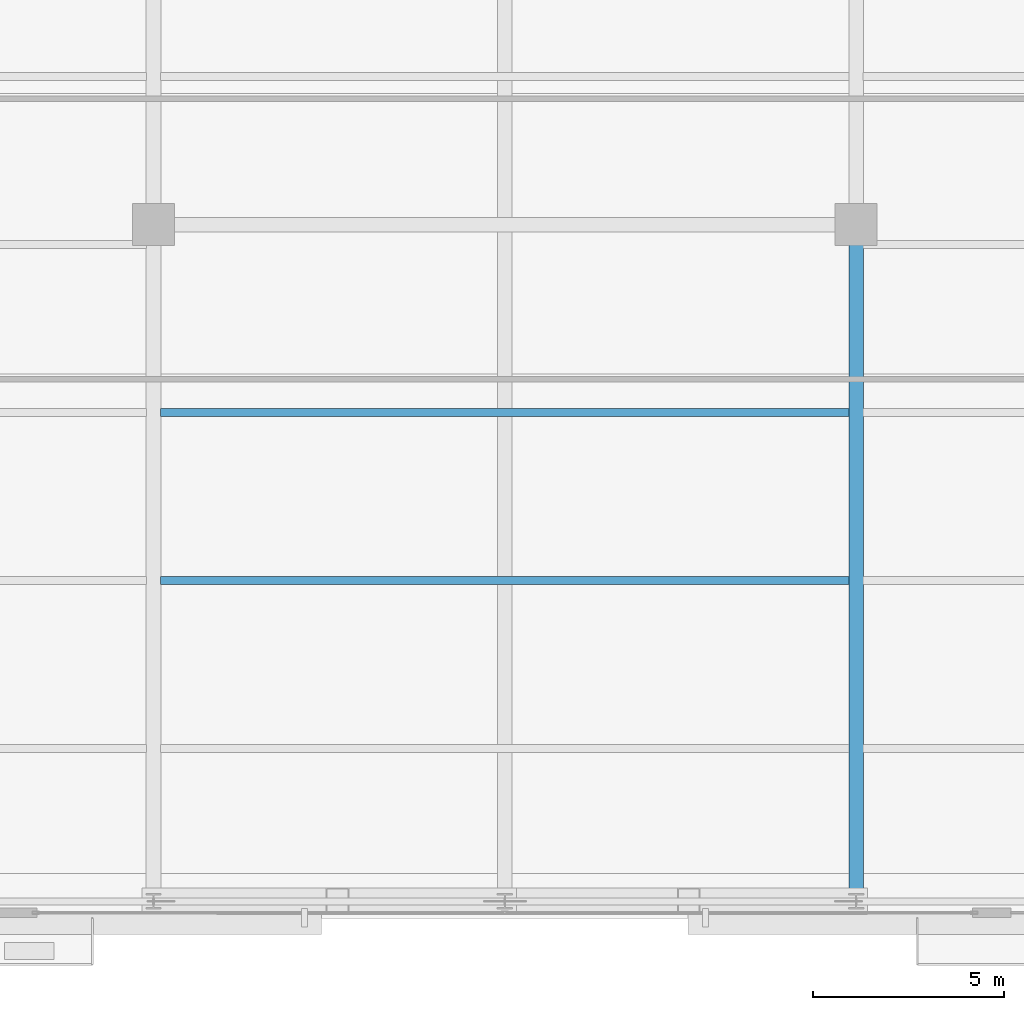
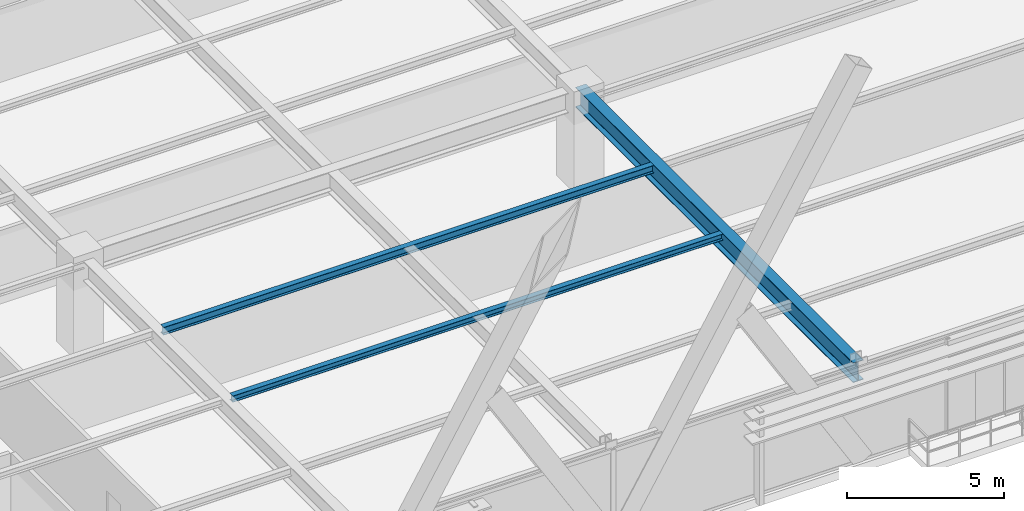
# One storey, part 14 of 34: 3 beams.
"""IFC4 building model written with IfcOpenShell, lengths in metres."""

from ifc_helpers import new_model, si_unit, direction, frame, origin, origin_2d, place, context, subcontext, project, spatial, i_section, extrude, source, transform, mapped, material, material_profile, profile_set, type_object, type_shapes, element, save


model = new_model("IFC4")

# Units and contexts
model_context = context("Model", 3, precision=1e-05, world=origin(), true_north=direction((0.0, 1.0)))
body_context = subcontext(model_context, "Body", "Model", "MODEL_VIEW")
ifc_project = project(units=[si_unit("LENGTHUNIT", "METRE"), si_unit("AREAUNIT", "SQUARE_METRE"), si_unit("VOLUMEUNIT", "CUBIC_METRE"), si_unit("PLANEANGLEUNIT", "RADIAN"), si_unit("MASSUNIT", "GRAM", prefix="KILO")], contexts=[model_context])

# Site, building, storey
site_placement = place(None, origin())
site = spatial("IfcSite", under=ifc_project, at=site_placement, CompositionType="ELEMENT")
building_placement = place(site_placement, origin())
building = spatial("IfcBuilding", under=site, at=building_placement, Name="Varnel Quay Broadcast Tower", CompositionType="ELEMENT")
storey_placement = place(building_placement, frame((0.0, 0.0, 27.60009765625)))
storey = spatial("IfcBuildingStorey", under=building, at=storey_placement, Name="L05", CompositionType="ELEMENT", Elevation=27.60009765625)

# Beams
ifc_material = material(Name="Structural Steel CSA G40.21 350W", Category="steel")
ifc_material_profile_1 = material_profile(ifc_material, i_section(OverallWidth=0.381103515625, OverallDepth=0.77294921875, WebThickness=0.0166015625, FlangeThickness=0.027587890625, FilletRadius=0.01806640625, at=origin_2d()), Name="W760X257")
ifc_profile_set_1 = profile_set([ifc_material_profile_1], Name="Structural Steel CSA G40.21 350W")
beam_type_1 = type_object("IfcBeamType", Name="Girder_W760X257", PredefinedType="BEAM", material=ifc_profile_set_1)
shared_shape_1 = source(origin(), body_context, "Body", "SweptSolid", [
    extrude(i_section(OverallWidth=0.381103515625, OverallDepth=0.77294921875, WebThickness=0.0166015625, FlangeThickness=0.027587890625, FilletRadius=0.01806640625, at=origin_2d()), origin(), (0.0, 0.0, 1.0), 17.68017578125),
])
type_shapes(beam_type_1, [shared_shape_1])
beam_1_placement = place(storey_placement, frame((43.199951171875, 1.669921875, 3.263427734375), z_axis=(0.0, 1.0, 0.0), x_axis=(-1.0, 0.0, 0.0)))
element("IfcBeam", 1, at=beam_1_placement, inside=storey, type_object=beam_type_1, Name="L05 Primary Girder TC-S4-IC-02", PredefinedType="BEAM", context=body_context, shape_type="MappedRepresentation", body=[
    mapped(shared_shape_1, transform((0.0, 0.0, 0.0), x_axis=(1.0, 0.0, 0.0), y_axis=(0.0, 1.0, 0.0), z_axis=(0.0, 0.0, 1.0), scale=1.0)),
])
ifc_material_profile_2 = material_profile(ifc_material, i_section(OverallWidth=0.202880859375, OverallDepth=0.302978515625, WebThickness=0.007568359375, FlangeThickness=0.01318359375, FilletRadius=0.011962890625, at=origin_2d()), Name="W310X60")
ifc_profile_set_2 = profile_set([ifc_material_profile_2], Name="Structural Steel CSA G40.21 350W")
beam_type_2 = type_object("IfcBeamType", Name="Beam_W310X60", PredefinedType="JOIST", material=ifc_profile_set_2)
shared_shape_2 = source(origin(), body_context, "Body", "SweptSolid", [
    extrude(i_section(OverallWidth=0.202880859375, OverallDepth=0.302978515625, WebThickness=0.007568359375, FlangeThickness=0.01318359375, FilletRadius=0.011962890625, at=origin_2d()), origin(), (0.0, 0.0, 1.0), 18.02880859375),
])
type_shapes(beam_type_2, [shared_shape_2])
beam_2_placement = place(storey_placement, frame((24.985595703125, 14.449951171875, 3.498291015625), z_axis=(1.0, 0.0, 0.0), x_axis=(0.0, 1.0, 0.0)))
element("IfcBeam", 2, at=beam_2_placement, inside=storey, type_object=beam_type_2, Name="L05 Central Floor Joist 3", PredefinedType="JOIST", context=body_context, shape_type="MappedRepresentation", body=[
    mapped(shared_shape_2, transform((0.0, 0.0, 0.0), x_axis=(1.0, 0.0, 0.0), y_axis=(0.0, 1.0, 0.0), z_axis=(0.0, 0.0, 1.0), scale=1.0)),
])
ifc_material_profile_3 = material_profile(ifc_material, i_section(OverallWidth=0.201904296875, OverallDepth=0.2470703125, WebThickness=0.00732421875, FlangeThickness=0.010986328125, FilletRadius=0.010986328125, at=origin_2d()), Name="W250X49")
ifc_profile_set_3 = profile_set([ifc_material_profile_3], Name="Structural Steel CSA G40.21 350W")
beam_type_3 = type_object("IfcBeamType", Name="Beam_W250X49", PredefinedType="JOIST", material=ifc_profile_set_3)
shared_shape_3 = source(origin(), body_context, "Body", "SweptSolid", [
    extrude(i_section(OverallWidth=0.201904296875, OverallDepth=0.2470703125, WebThickness=0.00732421875, FlangeThickness=0.010986328125, FilletRadius=0.010986328125, at=origin_2d()), origin(), (0.0, 0.0, 1.0), 18.02880859375),
])
type_shapes(beam_type_3, [shared_shape_3])
beam_3_placement = place(storey_placement, frame((24.985595703125, 10.050048828125, 3.5263671875), z_axis=(1.0, 0.0, 0.0), x_axis=(0.0, 1.0, 0.0)))
element("IfcBeam", 3, at=beam_3_placement, inside=storey, type_object=beam_type_3, Name="L05 Central Floor Joist 2", PredefinedType="JOIST", context=body_context, shape_type="MappedRepresentation", body=[
    mapped(shared_shape_3, transform((0.0, 0.0, 0.0), x_axis=(1.0, 0.0, 0.0), y_axis=(0.0, 1.0, 0.0), z_axis=(0.0, 0.0, 1.0), scale=1.0)),
])

save(model, "model.ifc")
